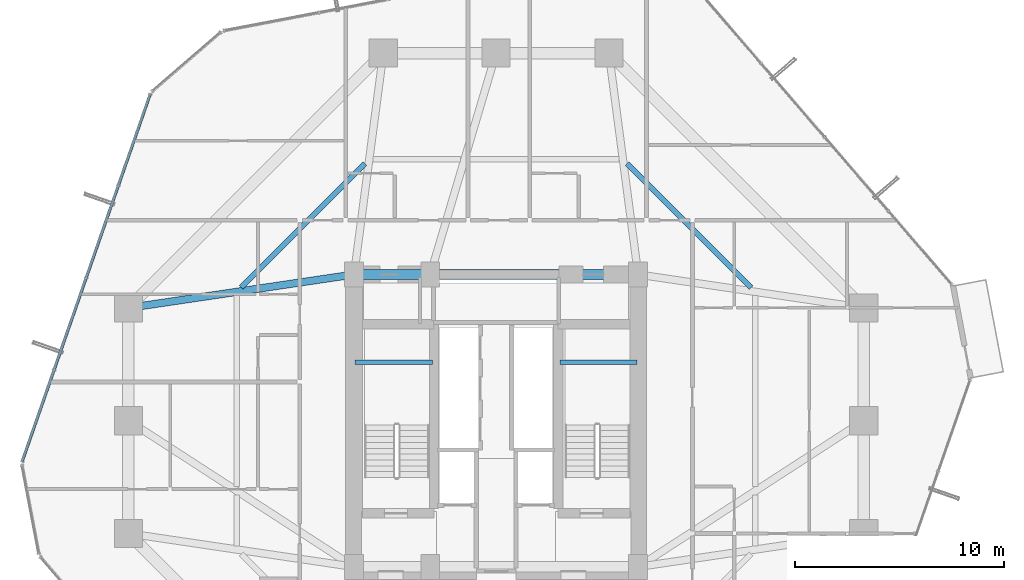
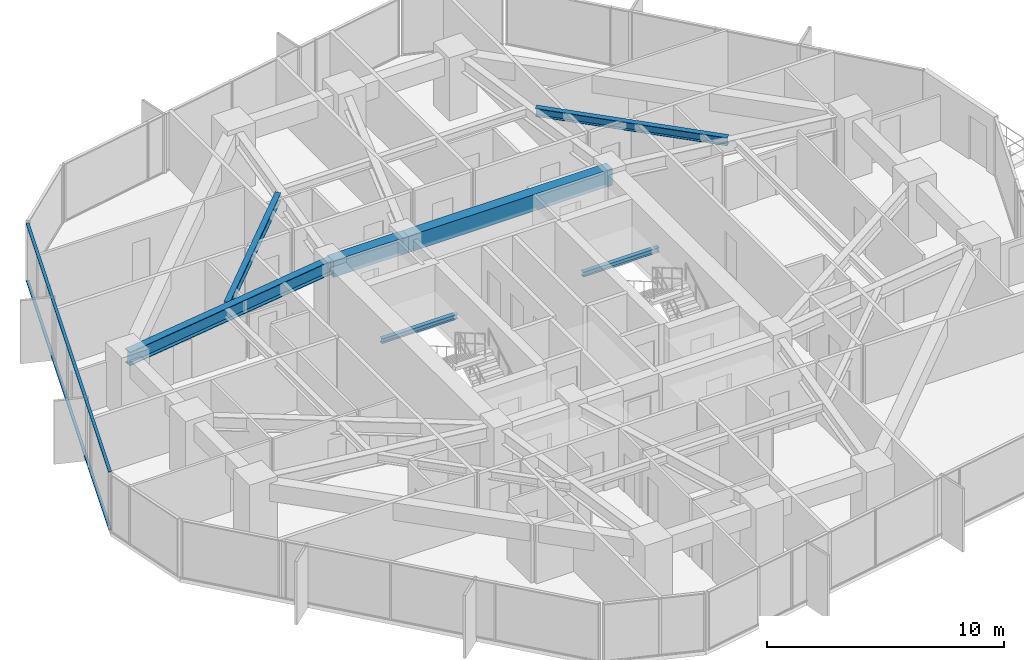
# One storey, part 13 of 38: 7 beams, 2 members, 1 element without a shape of its own.
"""IFC4 building model written with IfcOpenShell, lengths in metres."""

from ifc_helpers import new_model, si_unit, direction, frame, origin, origin_2d, place, context, subcontext, project, spatial, rectangle, hollow_rectangle, i_section, extrude, source, transform, mapped, material, layer, layer_set, material_profile, profile_set, type_object, element, aggregate, save


model = new_model("IFC4")

# Units and contexts
model_context = context("Model", 3, precision=1e-05, world=origin(), true_north=direction((0.0, 1.0)))
body_context = subcontext(model_context, "Body", "Model", "MODEL_VIEW")
ifc_project = project(units=[si_unit("LENGTHUNIT", "METRE"), si_unit("AREAUNIT", "SQUARE_METRE"), si_unit("VOLUMEUNIT", "CUBIC_METRE"), si_unit("PLANEANGLEUNIT", "RADIAN"), si_unit("MASSUNIT", "GRAM", prefix="KILO")], contexts=[model_context])

# Site, building, storey
site_placement = place(None, origin())
site = spatial("IfcSite", under=ifc_project, at=site_placement, CompositionType="ELEMENT")
building_placement = place(site_placement, origin())
building = spatial("IfcBuilding", under=site, at=building_placement, Name="Veraguas Prism Commons", CompositionType="ELEMENT")
storey_placement = place(building_placement, frame((0.0, 0.0, 60.85009765625)))
storey = spatial("IfcBuildingStorey", under=building, at=storey_placement, Name="L16", CompositionType="ELEMENT", Elevation=60.85009765625)

# Beams
ifc_material_1 = material(Name="Concrete C50/60", Category="concrete")
ifc_material_profile_1 = material_profile(ifc_material_1, rectangle(XDim=0.5, YDim=0.85009765625, at=origin_2d()), Name="RC500X850")
ifc_profile_set_1 = profile_set([ifc_material_profile_1], Name="Concrete C50/60")
beam_type_1 = type_object("IfcBeamType", Name="Core Coupling Beam RC 500x850", PredefinedType="BEAM", material=ifc_profile_set_1)
beam_1_placement = place(storey_placement, frame((17.199951171875, 31.0, 2.574951171875), z_axis=(1.0, 0.0, 0.0), x_axis=(0.0, 1.0, 0.0)))
element("IfcBeam", 1, at=beam_1_placement, inside=storey, type_object=beam_type_1, Name="Core Coupling Beam L16-CRN1", PredefinedType="BEAM", context=body_context, shape_type="SweptSolid", body=[
    extrude(rectangle(XDim=0.5, YDim=0.85009765625, at=origin_2d()), origin(), (0.0, 0.0, 1.0), 3.650146484375),
])
beam_2_placement = place(storey_placement, frame((20.85009765625, 31.0, 2.574951171875), z_axis=(1.0, 0.0, 0.0), x_axis=(0.0, 1.0, 0.0)))
element("IfcBeam", 2, at=beam_2_placement, inside=storey, type_object=beam_type_1, Name="Core Coupling Beam L16-CRN2", PredefinedType="BEAM", context=body_context, shape_type="SweptSolid", body=[
    extrude(rectangle(XDim=0.5, YDim=0.85009765625, at=origin_2d()), origin(), (0.0, 0.0, 1.0), 9.949951171875),
])
ifc_material_2 = material(Name="Steel ASTM A992 Grade 50", Category="steel")
ifc_material_profile_2 = material_profile(ifc_material_2, i_section(OverallWidth=0.260986328125, OverallDepth=0.419921875, WebThickness=0.01171875, FlangeThickness=0.019287109375, at=origin_2d()), Name="W410X114")
ifc_profile_set_2 = profile_set([ifc_material_profile_2], Name="Steel ASTM A992 Grade 50")
beam_type_2 = type_object("IfcBeamType", Name="Lower Floor Joist W410x114", PredefinedType="JOIST", material=ifc_profile_set_2)
for number, where, z_axis, x_axis, name in (
    (3, (36.20703125, 30.376953125, 2.789794921875), (-0.707092226423, 0.70712133565, 0.0), (-0.70712133565, -0.707092226423, 0.0), "Composite Floor Joist L16-JS03"),
    (4, (17.723388671875, 36.3076171875, 2.789794921875), (-0.707092226423, -0.70712133565, 0.0), (0.70712133565, -0.707092226423, 0.0), "Composite Floor Joist L16-JS06"),
):
    element("IfcBeam", number, at=place(storey_placement, frame(where, z_axis=z_axis, x_axis=x_axis)), inside=storey, type_object=beam_type_2, Name=name, PredefinedType="JOIST", context=body_context, shape_type="SweptSolid", body=[
        extrude(i_section(OverallWidth=0.260986328125, OverallDepth=0.419921875, WebThickness=0.01171875, FlangeThickness=0.019287109375, at=origin_2d()), origin(), (0.0, 0.0, 1.0), 8.386962890625),
    ])
ifc_material_profile_3 = material_profile(ifc_material_2, i_section(OverallWidth=0.202880859375, OverallDepth=0.251953125, WebThickness=0.008056640625, FlangeThickness=0.013427734375, at=origin_2d()), Name="W250X58")
ifc_profile_set_3 = profile_set([ifc_material_profile_3], Name="Steel ASTM A992 Grade 50")
beam_type_3 = type_object("IfcBeamType", Name="Structural Opening Lintel W250x58", PredefinedType="LINTEL", material=ifc_profile_set_3)
for number, where, z_axis, x_axis, name in (
    (5, (17.25, 26.800048828125, 1.298828125), (1.0, 0.0, 0.0), (0.0, 1.0, 0.0), "Stair ST-01 Half-Landing Support Beam L16-1"),
    (6, (27.050048828125, 26.800048828125, 1.298828125), (1.0, 0.0, 0.0), (0.0, 1.0, 0.0), "Stair ST-02 Half-Landing Support Beam L16-1"),
):
    element("IfcBeam", number, at=place(storey_placement, frame(where, z_axis=z_axis, x_axis=x_axis)), inside=storey, type_object=beam_type_3, Name=name, PredefinedType="LINTEL", context=body_context, shape_type="SweptSolid", body=[
        extrude(i_section(OverallWidth=0.202880859375, OverallDepth=0.251953125, WebThickness=0.008056640625, FlangeThickness=0.013427734375, at=origin_2d()), origin(), (0.0, 0.0, 1.0), 3.699951171875),
    ])
ifc_material_profile_4 = material_profile(ifc_material_2, i_section(OverallWidth=0.35595703125, OverallDepth=0.700927734375, WebThickness=0.016845703125, FlangeThickness=0.02734375, at=origin_2d()), Name="W690X240")
ifc_profile_set_4 = profile_set([ifc_material_profile_4], Name="Steel ASTM A992 Grade 50")
beam_type_4 = type_object("IfcBeamType", Name="Zone 1 Radial Girder W690x240", PredefinedType="BEAM", material=ifc_profile_set_4)
beam_3_placement = place(storey_placement, frame((6.39990234375, 29.39990234375, 2.6494140625), z_axis=(0.989202261707, 0.146556765224, 0.0), x_axis=(-0.146556765224, 0.989202261707, 0.0)))
element("IfcBeam", 7, at=beam_3_placement, inside=storey, type_object=beam_type_4, Name="Radial Floor Girder L16-RD07", PredefinedType="BEAM", context=body_context, shape_type="SweptSolid", body=[
    extrude(i_section(OverallWidth=0.35595703125, OverallDepth=0.700927734375, WebThickness=0.016845703125, FlangeThickness=0.02734375, at=origin_2d()), origin(), (0.0, 0.0, 1.0), 10.91796875),
])

# Curtain wall, members
ifc_material_3 = material(Name="Anodised aluminium EN AW-6063 T6", Category="aluminium")
ifc_layer = layer(ifc_material_3, 0.169921875, Name="Unitised Flush Curtain Wall Zone 1", Category="aluminium")
ifc_layer_set = layer_set([ifc_layer], Name="Anodised aluminium EN AW-6063 T6")
curtain_wall_type = type_object("IfcCurtainWallType", Name="Unitised Flush Curtain Wall Zone 1", PredefinedType="NOTDEFINED", material=ifc_layer_set)
curtain_wall_placement = place(storey_placement, origin())
curtain_wall = element("IfcCurtainWall", 8, at=curtain_wall_placement, inside=storey, type_object=curtain_wall_type, Name="Tower Facade Curtain Wall L16-F3", PredefinedType="NOTDEFINED")
ifc_material_profile_5 = material_profile(ifc_material_3, hollow_rectangle(XDim=0.054931640625, YDim=0.135009765625, WallThickness=0.0029296875, at=origin_2d()), Name="AL55X135X3")
ifc_profile_set_5 = profile_set([ifc_material_profile_5], Name="Anodised aluminium EN AW-6063 T6")
member_type = type_object("IfcMemberType", Name="Curtain Wall Transom Standard AL 55x135x3", PredefinedType="USERDEFINED", material=ifc_profile_set_5)
shared_shape = source(origin(), body_context, "Body", "SweptSolid", [
    extrude(hollow_rectangle(XDim=0.054931640625, YDim=0.135009765625, WallThickness=0.0029296875, at=origin_2d()), origin(), (0.0, 0.0, 1.0), 18.623779296875),
])
member_1_placement = place(storey_placement, frame((7.439208984375, 39.635009765625, 0.02734375), z_axis=(-0.329184070656, -0.944265771712, 0.0), x_axis=(0.0, 0.0, 1.0)))
member_1 = element("IfcMember", 9, at=member_1_placement, type_object=member_type, Name="CW-Z1 Transom 1", ObjectType="TRANSOM", PredefinedType="USERDEFINED", context=body_context, shape_type="MappedRepresentation", body=[
    mapped(shared_shape, transform((0.0, 0.0, 0.0), scale=1.0)),
])
member_2_placement = place(storey_placement, frame((7.439208984375, 39.635009765625, 2.972412109375), z_axis=(-0.329184070656, -0.944265771712, 0.0), x_axis=(0.0, 0.0, 1.0)))
member_2 = element("IfcMember", 10, at=member_2_placement, type_object=member_type, Name="CW-Z1 Transom 2", ObjectType="TRANSOM", PredefinedType="USERDEFINED", context=body_context, shape_type="MappedRepresentation", body=[
    mapped(shared_shape, transform((0.0, 0.0, 0.0), scale=1.0)),
])
aggregate(curtain_wall, [member_1, member_2])

save(model, "model.ifc")
